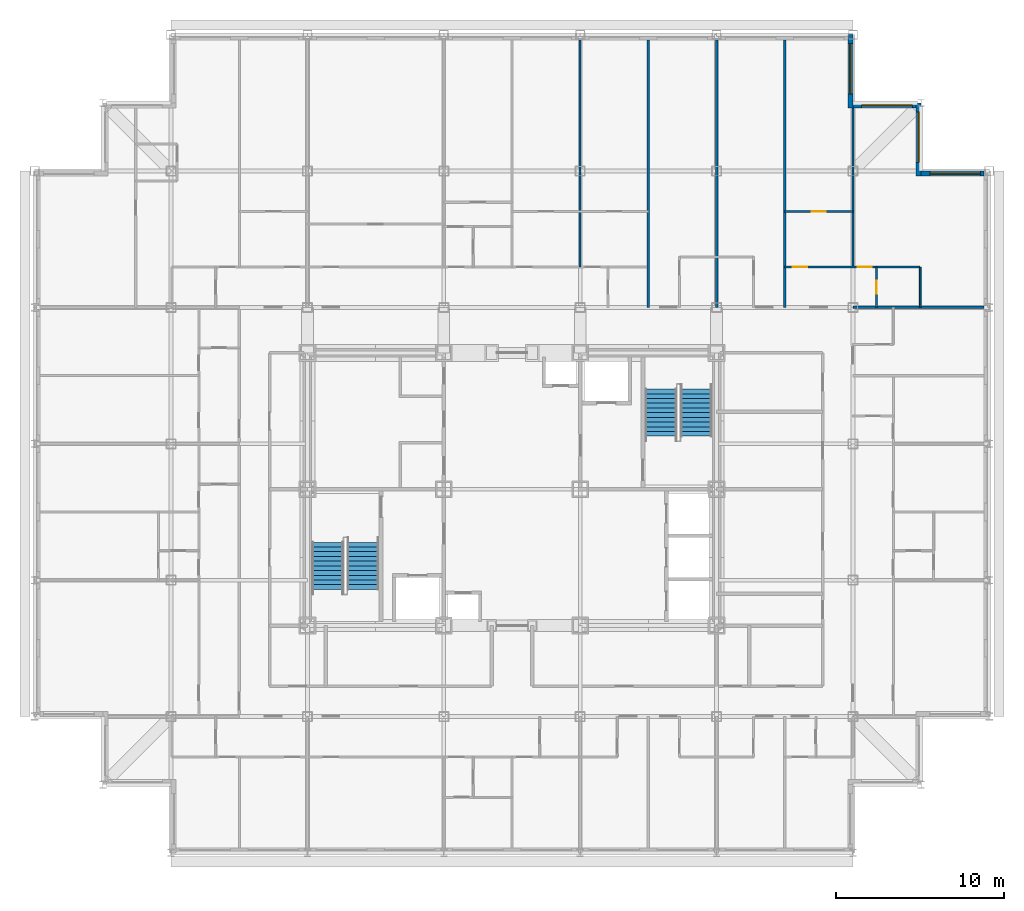
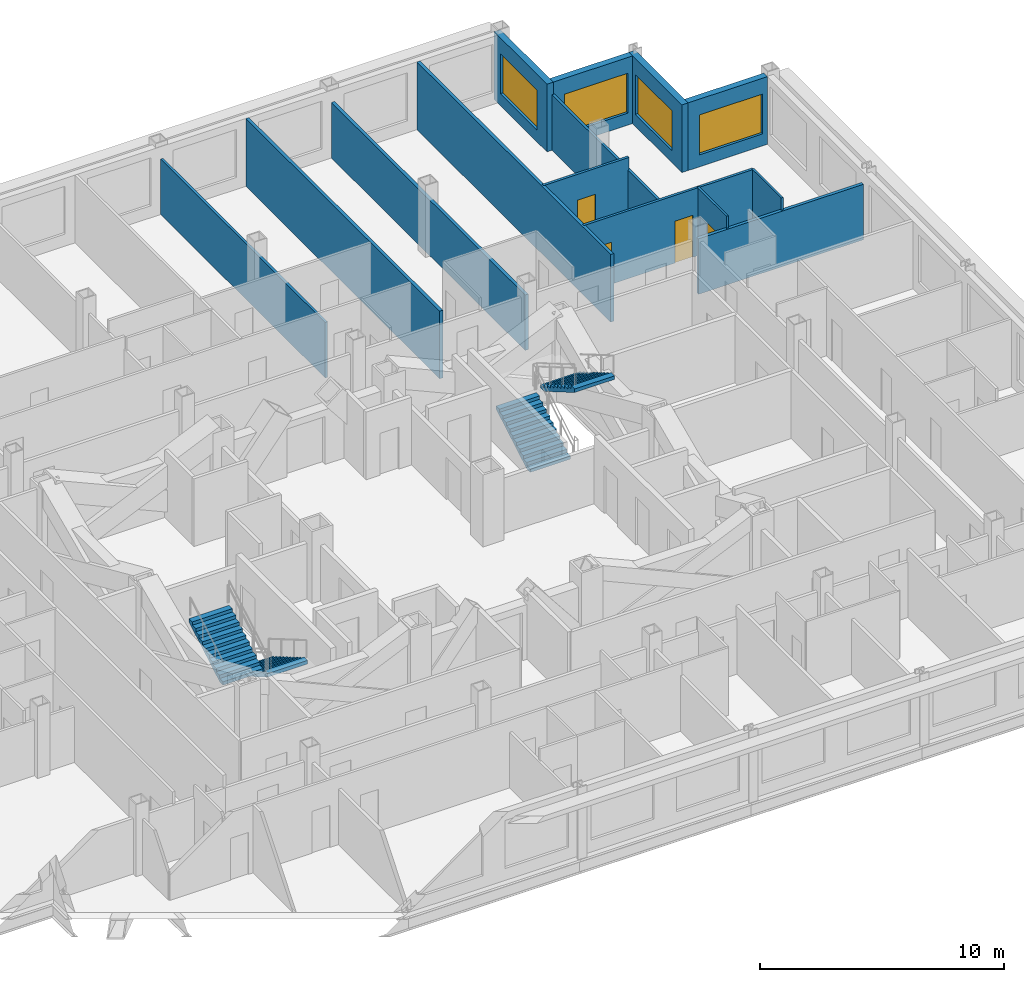
# One storey, part 11 of 12: 14 walls, 4 doors, 4 stair flights, 4 windows, 8 openings, 2 elements without a shape of their own.
"""IFC4 building model written with IfcOpenShell, lengths in metres."""

import ifcopenshell
import ifcopenshell.guid

model = None  # the IFC model being written
_history = None  # IfcOwnerHistory: only IFC2X3 demands one
_inside = {}  # id of a spatial element -> (the spatial element, [elements in it])
_under = {}  # id of a project, library or spatial element -> (it, [spatial elements below it])
_declared = {}  # id of a project -> (the project, [libraries it declares])
_typed = {}  # id of a type object -> (the type object, [elements of that type])
_made_of = {}  # id of a material, layer set ... -> (it, [elements and type objects made of it])


def new_model(schema):
    """Start an empty IFC model of exactly this schema.

    Asked for "IFC4X3", IfcOpenShell would pick the latest addendum, in which some entities
    have other attributes; the version numbers below select the first issue.
    IFC2X3 requires an IfcOwnerHistory on every rooted entity: one is made here for all.
    """
    global model, _history
    if schema == "IFC4X3":
        model = ifcopenshell.file(schema_version=(4, 3, 0, 0))
    else:
        model = ifcopenshell.file(schema=schema)
    _inside.clear()
    _under.clear()
    _declared.clear()
    _typed.clear()
    _made_of.clear()
    _history = None
    if model.schema == "IFC2X3":
        org = make("IfcOrganization", Name="unknown")
        user = make(
            "IfcPersonAndOrganization",
            ThePerson=make("IfcPerson", FamilyName="unknown"),
            TheOrganization=org,
        )
        app = make(
            "IfcApplication",
            ApplicationDeveloper=org,
            Version="unknown",
            ApplicationFullName="unknown",
            ApplicationIdentifier="unknown",
        )
        _history = make(
            "IfcOwnerHistory",
            OwningUser=user,
            OwningApplication=app,
            ChangeAction="ADDED",
            CreationDate=0,
        )
    return model


def make(cls, **values):
    """One entity of the class cls with the attributes given. An attribute that is None is left unset."""
    return model.create_entity(
        cls, **{name: value for name, value in values.items() if value is not None}
    )


def rooted(cls, **values):
    """An entity with a GlobalId (a new one), such as an element, a storey or a relation."""
    return make(cls, GlobalId=ifcopenshell.guid.new(), OwnerHistory=_history, **values)


def si_unit(unit_type, name, prefix=None):
    """IfcSIUnit, for example si_unit("LENGTHUNIT", "METRE", prefix="MILLI")."""
    return make("IfcSIUnit", UnitType=unit_type, Prefix=prefix, Name=name)


def assignment(units):
    """IfcUnitAssignment: the units of a project."""
    return None if units is None else make("IfcUnitAssignment", Units=units)


def point(xyz):
    """IfcCartesianPoint."""
    return None if xyz is None else make("IfcCartesianPoint", Coordinates=xyz)


def direction(xyz):
    """IfcDirection."""
    return None if xyz is None else make("IfcDirection", DirectionRatios=xyz)


def frame(location, z_axis=None, x_axis=None):
    """IfcAxis2Placement3D, a coordinate frame: its origin and axes. An axis left out is left unset."""
    return make(
        "IfcAxis2Placement3D",
        Location=point(location),
        Axis=direction(z_axis),
        RefDirection=direction(x_axis),
    )


def frame_2d(location, x_axis=None):
    """IfcAxis2Placement2D, a coordinate frame in the plane: its origin and x axis."""
    return make(
        "IfcAxis2Placement2D", Location=point(location), RefDirection=direction(x_axis)
    )


def origin():
    """The frame at (0, 0, 0) with its axes left unset."""
    return frame((0.0, 0.0, 0.0))


def place(relative_to, where):
    """IfcLocalPlacement: puts the frame where relative to a parent placement (None: the world)."""
    return make(
        "IfcLocalPlacement", PlacementRelTo=relative_to, RelativePlacement=where
    )


def context(
    kind, dimensions, precision=None, world=None, true_north=None, identifier=None
):
    """IfcGeometricRepresentationContext, for example the 3D "Model" context."""
    return make(
        "IfcGeometricRepresentationContext",
        ContextIdentifier=identifier,
        ContextType=kind,
        CoordinateSpaceDimension=dimensions,
        Precision=precision,
        WorldCoordinateSystem=world,
        TrueNorth=true_north,
    )


def subcontext(parent, identifier, kind, view, scale=None):
    """IfcGeometricRepresentationSubContext, for example "Body" below "Model"."""
    return make(
        "IfcGeometricRepresentationSubContext",
        ContextIdentifier=identifier,
        ContextType=kind,
        ParentContext=parent,
        TargetScale=scale,
        TargetView=view,
    )


def project(units=None, contexts=None):
    """IfcProject with its units and contexts."""
    return rooted(
        "IfcProject",
        Name="project",
        RepresentationContexts=contexts,
        UnitsInContext=assignment(units),
    )


def spatial(cls, under=None, at=None, **own):
    """A site, building, storey or space (cls), placed at a placement, below another one or the project."""
    s = rooted(cls, ObjectPlacement=at, **own)
    if under is not None:
        _under.setdefault(under.id(), (under, []))[1].append(s)
    return s


def point_list(points):
    """IfcCartesianPointList2D or 3D."""
    cls = (
        "IfcCartesianPointList2D" if len(points[0]) == 2 else "IfcCartesianPointList3D"
    )
    return make(cls, CoordList=points)


def profile(cls, at=None, kind="AREA", **sizes):
    """A parametric profile (cls). Its sizes go by their IFC names, for example OverallWidth=200.0."""
    return make(cls, ProfileType=kind, Position=at, **sizes)


def rectangle(**sizes):
    """IfcRectangleProfileDef."""
    return profile("IfcRectangleProfileDef", **sizes)


def extrude(swept, where, along, depth):
    """IfcExtrudedAreaSolid: the profile swept, set in the frame where, extruded along a direction by depth."""
    return make(
        "IfcExtrudedAreaSolid",
        SweptArea=swept,
        Position=where,
        ExtrudedDirection=direction(along),
        Depth=depth,
    )


def polygons(points, faces, closed=None, point_numbers=None):
    """IfcPolygonalFaceSet: a face is its outer loop, then its inner loops; points numbered from 1."""
    made = []
    for loops in faces:
        if len(loops) == 1:
            made.append(make("IfcIndexedPolygonalFace", CoordIndex=loops[0]))
        else:
            made.append(
                make(
                    "IfcIndexedPolygonalFaceWithVoids",
                    CoordIndex=loops[0],
                    InnerCoordIndices=loops[1:],
                )
            )
    return make(
        "IfcPolygonalFaceSet",
        Coordinates=point_list(points),
        Closed=closed,
        Faces=made,
        PnIndex=point_numbers,
    )


def shape(context_of_items, identifier, shape_type, items):
    """IfcShapeRepresentation: the items that make up one representation, for example the "Body"."""
    return make(
        "IfcShapeRepresentation",
        ContextOfItems=context_of_items,
        RepresentationIdentifier=identifier,
        RepresentationType=shape_type,
        Items=items,
    )


def source(mapping_origin, context_of_items, identifier, shape_type, items):
    """IfcRepresentationMap: a shape defined once, which mapped items show again and again."""
    return make(
        "IfcRepresentationMap",
        MappingOrigin=mapping_origin,
        MappedRepresentation=shape(context_of_items, identifier, shape_type, items),
    )


def transform(
    local_origin,
    x_axis=None,
    y_axis=None,
    z_axis=None,
    scale=None,
    scale2=None,
    scale3=None,
    uniform=True,
):
    """IfcCartesianTransformationOperator3D, or its non-uniform kind. x_axis, y_axis, z_axis: its Axis1, 2, 3."""
    if uniform:
        return make(
            "IfcCartesianTransformationOperator3D",
            Axis1=direction(x_axis),
            Axis2=direction(y_axis),
            LocalOrigin=point(local_origin),
            Scale=scale,
            Axis3=direction(z_axis),
        )
    return make(
        "IfcCartesianTransformationOperator3DnonUniform",
        Axis1=direction(x_axis),
        Axis2=direction(y_axis),
        LocalOrigin=point(local_origin),
        Scale=scale,
        Axis3=direction(z_axis),
        Scale2=scale2,
        Scale3=scale3,
    )


def mapped(mapping_source, mapping_target):
    """IfcMappedItem: shows the shape of a source again, moved by a transform."""
    return make(
        "IfcMappedItem", MappingSource=mapping_source, MappingTarget=mapping_target
    )


def material(Name=None, Category=None):
    """IfcMaterial."""
    return make("IfcMaterial", Name=Name, Category=Category)


def layer(
    of_material, thickness, ventilated=None, Name=None, Category=None, Priority=None
):
    """IfcMaterialLayer: one layer of a wall or slab, of a material (None: an air gap)."""
    return make(
        "IfcMaterialLayer",
        Material=of_material,
        LayerThickness=thickness,
        IsVentilated=ventilated,
        Name=Name,
        Category=Category,
        Priority=Priority,
    )


def layer_set(layers, Name=None):
    """IfcMaterialLayerSet."""
    return make("IfcMaterialLayerSet", MaterialLayers=layers, LayerSetName=Name)


def made_of(thing, what):
    """Note that an element or type object is made of a material, layer set ...; save() writes the relation."""
    if what is not None:
        _made_of.setdefault(what.id(), (what, []))[1].append(thing)
    return thing


def type_object(cls, material=None, **own):
    """A type object (cls), such as IfcWallType, which elements share."""
    return made_of(rooted(cls, **own), material)


def element(
    cls,
    number,
    at=None,
    inside=None,
    cuts=None,
    type_object=None,
    material=None,
    context=None,
    identifier="Body",
    shape_type=None,
    held_by="IfcProductDefinitionShape",
    body=None,
    shapes=None,
    **own,
):
    """One element of the class cls, such as IfcWall. Its Tag is "e" and its number.

    at: its placement. inside: the storey or other place that contains it. cuts: it is an
    opening in that element (IfcRelVoidsElement). A single representation is given by context,
    identifier, shape_type and body (its items); several are given by shapes. held_by: the class
    of the entity that holds the representations. save() writes the other relations.
    """
    e = rooted(cls, Tag="e%d" % number, ObjectPlacement=at, **own)
    if body is not None:
        shapes = [shape(context, identifier, shape_type, body)]
    if shapes is not None:
        e.Representation = make(held_by, Representations=shapes)
    if inside is not None:
        _inside.setdefault(inside.id(), (inside, []))[1].append(e)
    if cuts is not None:
        rooted(
            "IfcRelVoidsElement", RelatingBuildingElement=cuts, RelatedOpeningElement=e
        )
    if type_object is not None:
        _typed.setdefault(type_object.id(), (type_object, []))[1].append(e)
    return made_of(e, material)


def fill(opening, filler):
    """IfcRelFillsElement: the door or window that sits in an opening."""
    return rooted(
        "IfcRelFillsElement",
        RelatingOpeningElement=opening,
        RelatedBuildingElement=filler,
    )


def aggregate(whole, parts):
    """IfcRelAggregates: a whole, such as a stair, and the parts it consists of."""
    return rooted("IfcRelAggregates", RelatingObject=whole, RelatedObjects=parts)


def save(model, path):
    """Write the relations noted so far, then the file.

    IfcRelAggregates (storeys below a building ...), IfcRelContainedInSpatialStructure (elements
    in a storey), IfcRelDefinesByType, IfcRelAssociatesMaterial and IfcRelDeclares: one each for
    every whole, place, type object, material and project.
    """
    for whole, parts in _under.values():
        aggregate(whole, parts)
    for where, things in _inside.values():
        rooted(
            "IfcRelContainedInSpatialStructure",
            RelatedElements=things,
            RelatingStructure=where,
        )
    for kind, things in _typed.values():
        rooted("IfcRelDefinesByType", RelatedObjects=things, RelatingType=kind)
    for what, things in _made_of.values():
        rooted("IfcRelAssociatesMaterial", RelatedObjects=things, RelatingMaterial=what)
    for by, libraries in _declared.values():
        rooted("IfcRelDeclares", RelatingContext=by, RelatedDefinitions=libraries)
    model.write(path)


model = new_model("IFC4")

# Units and contexts
model_context = context("Model", 3, precision=1e-05, world=origin(), true_north=direction((0.0, 1.0)))
body_context = subcontext(model_context, "Body", "Model", "MODEL_VIEW")
ifc_project = project(units=[si_unit("LENGTHUNIT", "METRE"), si_unit("AREAUNIT", "SQUARE_METRE"), si_unit("VOLUMEUNIT", "CUBIC_METRE"), si_unit("PLANEANGLEUNIT", "RADIAN"), si_unit("MASSUNIT", "GRAM", prefix="KILO")], contexts=[model_context])

# Site, building, storey
site_placement = place(None, origin())
site = spatial("IfcSite", under=ifc_project, at=site_placement, CompositionType="ELEMENT")
building_placement = place(site_placement, origin())
building = spatial("IfcBuilding", under=site, at=building_placement, Name="Kopane Lantern Tower", CompositionType="ELEMENT")
storey_placement = place(building_placement, frame((0.0, 0.0, 213.60009765625)))
storey = spatial("IfcBuildingStorey", under=building, at=storey_placement, Name="L55", CompositionType="ELEMENT", Elevation=213.60009765625)

# Wall
ifc_material_1 = material(Name="Gypsum board on steel studs", Category="steel")
ifc_layer_1 = layer(ifc_material_1, 0.1201171875)
ifc_layer_set_1 = layer_set([ifc_layer_1], Name="APARTMENT INTERNAL WALL 120")
wall_type_1 = type_object("IfcWallType", Name="APARTMENT INTERNAL WALL 120", PredefinedType="PARTITIONING", material=ifc_layer_set_1)
wall_1_placement = place(storey_placement, frame((32.39990234375, 45.60009765625, 0.0), z_axis=(0.0, 0.0, 1.0), x_axis=(0.0, 1.0, 0.0)))
element("IfcWall", 1, at=wall_1_placement, inside=storey, type_object=wall_type_1, Name="Apartment Internal Wall 120 L55", PredefinedType="PARTITIONING", context=body_context, shape_type="SweptSolid", body=[
    extrude(rectangle(XDim=13.5, YDim=0.1201171875, at=frame_2d((6.75, 0.0))), origin(), (0.0, 0.0, 1.0), 2.777587890625),
])

# Wall, openings, doors
wall_2_placement = place(storey_placement, frame((44.550048828125, 45.60009765625, 0.0), z_axis=(0.0, 0.0, 1.0), x_axis=(1.0, 0.0, 0.0)))
wall_2 = element("IfcWall", 2, at=wall_2_placement, inside=storey, type_object=wall_type_1, Name="Apartment Internal Wall 120 L55", PredefinedType="PARTITIONING", context=body_context, shape_type="SweptSolid", body=[
    extrude(rectangle(XDim=8.050048828125, YDim=0.1201171875, at=frame_2d((4.02490234375, 0.0))), origin(), (0.0, 0.0, 1.0), 3.389892578125),
])
opening_1_placement = place(wall_2_placement, frame((0.47509765625, 0.0, 0.0)))
opening_1 = element("IfcOpeningElement", 3, at=opening_1_placement, cuts=wall_2, Name="Opening L55-062", PredefinedType="OPENING", context=body_context, shape_type="SweptSolid", body=[
    extrude(rectangle(XDim=0.85009765625, YDim=2.10009765625, at=frame_2d((0.425048828125, 1.050048828125))), frame((0.0, 0.070068359375, 0.0), z_axis=(0.0, -1.0, 0.0), x_axis=(1.0, 0.0, 0.0)), (0.0, 0.0, 1.0), 0.14013671875),
])
opening_2_placement = place(wall_2_placement, frame((4.324951171875, 0.0, 0.0)))
opening_2 = element("IfcOpeningElement", 4, at=opening_2_placement, cuts=wall_2, Name="Opening L55-064", PredefinedType="OPENING", context=body_context, shape_type="SweptSolid", body=[
    extrude(rectangle(XDim=0.85009765625, YDim=2.10009765625, at=frame_2d((0.425048828125, 1.050048828125))), frame((0.0, 0.070068359375, 0.0), z_axis=(0.0, -1.0, 0.0), x_axis=(1.0, 0.0, 0.0)), (0.0, 0.0, 1.0), 0.14013671875),
])
ifc_material_2 = material(Name="Timber door set", Category="wood")
door_type_1 = type_object("IfcDoorType", Name="DOOR D4 850x2100", OperationType="SINGLE_SWING_LEFT", PredefinedType="DOOR", material=ifc_material_2)
door_1_placement = place(opening_1_placement, origin())
door_1 = element("IfcDoor", 5, at=door_1_placement, inside=storey, type_object=door_type_1, Name="Door L55-062", OperationType="SINGLE_SWING_RIGHT", OverallHeight=2.10009765625, OverallWidth=0.85009765625, PredefinedType="DOOR", context=body_context, shape_type="SweptSolid", body=[
    extrude(rectangle(XDim=0.85009765625, YDim=2.10009765625, at=frame_2d((0.425048828125, 1.050048828125))), frame((0.0, 0.02490234375, 0.0), z_axis=(0.0, -1.0, 0.0), x_axis=(1.0, 0.0, 0.0)), (0.0, 0.0, 1.0), 0.050048828125),
])
fill(opening_1, door_1)
door_2_placement = place(opening_2_placement, origin())
door_2 = element("IfcDoor", 6, at=door_2_placement, inside=storey, type_object=door_type_1, Name="Door L55-064", OperationType="SINGLE_SWING_LEFT", OverallHeight=2.10009765625, OverallWidth=0.85009765625, PredefinedType="DOOR", context=body_context, shape_type="SweptSolid", body=[
    extrude(rectangle(XDim=0.85009765625, YDim=2.10009765625, at=frame_2d((0.425048828125, 1.050048828125))), frame((0.0, 0.02490234375, 0.0), z_axis=(0.0, -1.0, 0.0), x_axis=(1.0, 0.0, 0.0)), (0.0, 0.0, 1.0), 0.050048828125),
])
fill(opening_2, door_2)

# Wall
wall_3_placement = place(storey_placement, frame((48.60009765625, 45.60009765625, 0.0), z_axis=(0.0, 0.0, 1.0), x_axis=(0.0, 1.0, 0.0)))
element("IfcWall", 7, at=wall_3_placement, inside=storey, type_object=wall_type_1, Name="Apartment Internal Wall 120 L55", PredefinedType="PARTITIONING", context=body_context, shape_type="SweptSolid", body=[
    extrude(rectangle(XDim=9.449951171875, YDim=0.1201171875, at=frame_2d((4.72509765625, 0.0))), origin(), (0.0, 0.0, 1.0), 2.777587890625),
])

# Wall, opening, door
wall_4_placement = place(storey_placement, frame((44.550048828125, 48.89990234375, 0.0), z_axis=(0.0, 0.0, 1.0), x_axis=(1.0, 0.0, 0.0)))
wall_4 = element("IfcWall", 8, at=wall_4_placement, inside=storey, type_object=wall_type_1, Name="Apartment Internal Wall 120 L55", PredefinedType="PARTITIONING", context=body_context, shape_type="SweptSolid", body=[
    extrude(rectangle(XDim=4.050048828125, YDim=0.1201171875, at=frame_2d((2.02490234375, 0.0))), origin(), (0.0, 0.0, 1.0), 3.389892578125),
])
opening_3_placement = place(wall_4_placement, frame((1.60009765625, 0.0, 0.0)))
opening_3 = element("IfcOpeningElement", 9, at=opening_3_placement, cuts=wall_4, Name="Opening L55-077", PredefinedType="OPENING", context=body_context, shape_type="SweptSolid", body=[
    extrude(rectangle(XDim=0.85009765625, YDim=2.10009765625, at=frame_2d((0.425048828125, 1.050048828125))), frame((0.0, 0.070068359375, 0.0), z_axis=(0.0, -1.0, 0.0), x_axis=(1.0, 0.0, 0.0)), (0.0, 0.0, 1.0), 0.14013671875),
])
door_3_placement = place(opening_3_placement, origin())
door_3 = element("IfcDoor", 10, at=door_3_placement, inside=storey, type_object=door_type_1, Name="Door L55-077", OperationType="SINGLE_SWING_RIGHT", OverallHeight=2.10009765625, OverallWidth=0.85009765625, PredefinedType="DOOR", context=body_context, shape_type="SweptSolid", body=[
    extrude(rectangle(XDim=0.85009765625, YDim=2.10009765625, at=frame_2d((0.425048828125, 1.050048828125))), frame((0.0, 0.02490234375, 0.0), z_axis=(0.0, -1.0, 0.0), x_axis=(1.0, 0.0, 0.0)), (0.0, 0.0, 1.0), 0.050048828125),
])
fill(opening_3, door_3)

ifc_material_3 = material(Name="Moisture-resistant board on steel studs", Category="steel")
ifc_layer_2 = layer(ifc_material_3, 0.10009765625)
ifc_layer_set_2 = layer_set([ifc_layer_2], Name="BATHROOM WALL 100")
wall_type_2 = type_object("IfcWallType", Name="BATHROOM WALL 100", PredefinedType="PARTITIONING", material=ifc_layer_set_2)
wall_5_placement = place(storey_placement, frame((50.0, 43.199951171875, 0.0), z_axis=(0.0, 0.0, 1.0), x_axis=(0.0, 1.0, 0.0)))
wall_5 = element("IfcWall", 11, at=wall_5_placement, inside=storey, type_object=wall_type_2, Name="Bathroom Wall 100 L55", PredefinedType="PARTITIONING", context=body_context, shape_type="SweptSolid", body=[
    extrude(rectangle(XDim=2.400146484375, YDim=0.10009765625, at=frame_2d((1.2001953125, 0.0))), origin(), (0.0, 0.0, 1.0), 3.389892578125),
])
opening_4_placement = place(wall_5_placement, frame((0.800048828125, 0.0, 0.0)))
opening_4 = element("IfcOpeningElement", 12, at=opening_4_placement, cuts=wall_5, Name="Opening L55-063", PredefinedType="OPENING", context=body_context, shape_type="SweptSolid", body=[
    extrude(rectangle(XDim=0.800048828125, YDim=2.10009765625, at=frame_2d((0.39990234375, 1.050048828125))), frame((0.0, 0.06005859375, 0.0), z_axis=(0.0, -1.0, 0.0), x_axis=(1.0, 0.0, 0.0)), (0.0, 0.0, 1.0), 0.1201171875),
])
ifc_material_4 = material(Name="Timber door set", Category="wood")
door_type_2 = type_object("IfcDoorType", Name="DOOR D2 800x2100", OperationType="SINGLE_SWING_LEFT", PredefinedType="DOOR", material=ifc_material_4)
door_4_placement = place(opening_4_placement, origin())
door_4 = element("IfcDoor", 13, at=door_4_placement, inside=storey, type_object=door_type_2, Name="Door L55-063", OperationType="SINGLE_SWING_RIGHT", OverallHeight=2.10009765625, OverallWidth=0.800048828125, PredefinedType="DOOR", context=body_context, shape_type="SweptSolid", body=[
    extrude(rectangle(XDim=0.800048828125, YDim=2.10009765625, at=frame_2d((0.39990234375, 1.050048828125))), frame((0.0, 0.02490234375, 0.0), z_axis=(0.0, -1.0, 0.0), x_axis=(1.0, 0.0, 0.0)), (0.0, 0.0, 1.0), 0.050048828125),
])
fill(opening_4, door_4)

# Walls
wall_6_placement = place(storey_placement, frame((52.60009765625, 43.199951171875, 0.0), z_axis=(0.0, 0.0, 1.0), x_axis=(0.0, 1.0, 0.0)))
element("IfcWall", 14, at=wall_6_placement, inside=storey, type_object=wall_type_2, Name="Bathroom Wall 100 L55", PredefinedType="PARTITIONING", context=body_context, shape_type="SweptSolid", body=[
    extrude(rectangle(XDim=2.400146484375, YDim=0.10009765625, at=frame_2d((1.2001953125, 0.0))), origin(), (0.0, 0.0, 1.0), 3.389892578125),
])
ifc_material_5 = material(Name="Gypsum board on steel studs", Category="steel")
ifc_layer_3 = layer(ifc_material_5, 0.14990234375)
ifc_layer_set_3 = layer_set([ifc_layer_3], Name="DEMISING WALL 150 EI 60")
wall_type_3 = type_object("IfcWallType", Name="DEMISING WALL 150 EI 60", PredefinedType="PARTITIONING", material=ifc_layer_set_3)
wall_7_placement = place(storey_placement, frame((36.449951171875, 43.199951171875, 0.0), z_axis=(0.0, 0.0, 1.0), x_axis=(0.0, 1.0, 0.0)))
element("IfcWall", 15, at=wall_7_placement, inside=storey, type_object=wall_type_3, Name="Demising Wall 150 Ei 60 L55", PredefinedType="PARTITIONING", context=body_context, shape_type="SweptSolid", body=[
    extrude(rectangle(XDim=15.900146484375, YDim=0.14990234375, at=frame_2d((7.9501953125, 0.0))), origin(), (0.0, 0.0, 1.0), 3.389892578125),
])
wall_8_placement = place(storey_placement, frame((40.5, 43.199951171875, 0.0), z_axis=(0.0, 0.0, 1.0), x_axis=(0.0, 1.0, 0.0)))
element("IfcWall", 16, at=wall_8_placement, inside=storey, type_object=wall_type_3, Name="Demising Wall 150 Ei 60 L55", PredefinedType="PARTITIONING", context=body_context, shape_type="SweptSolid", body=[
    extrude(rectangle(XDim=15.900146484375, YDim=0.14990234375, at=frame_2d((7.9501953125, 0.0))), origin(), (0.0, 0.0, 1.0), 2.777587890625),
])
wall_9_placement = place(storey_placement, frame((48.60009765625, 43.199951171875, 0.0), z_axis=(0.0, 0.0, 1.0), x_axis=(1.0, 0.0, 0.0)))
element("IfcWall", 17, at=wall_9_placement, inside=storey, type_object=wall_type_3, Name="Demising Wall 150 Ei 60 L55", PredefinedType="PARTITIONING", context=body_context, shape_type="SweptSolid", body=[
    extrude(rectangle(XDim=7.7998046875, YDim=0.14990234375, at=frame_2d((3.89990234375, 0.0))), origin(), (0.0, 0.0, 1.0), 2.777587890625),
])
wall_10_placement = place(storey_placement, frame((44.550048828125, 43.199951171875, 0.0), z_axis=(0.0, 0.0, 1.0), x_axis=(0.0, 1.0, 0.0)))
element("IfcWall", 18, at=wall_10_placement, inside=storey, type_object=wall_type_3, Name="Demising Wall 150 Ei 60 L55", PredefinedType="PARTITIONING", context=body_context, shape_type="SweptSolid", body=[
    extrude(rectangle(XDim=15.900146484375, YDim=0.14990234375, at=frame_2d((7.9501953125, 0.0))), origin(), (0.0, 0.0, 1.0), 3.389892578125),
])

# Wall, opening, window
ifc_material_6 = material(Name="Terracotta rainscreen on light steel framing", Category="masonry")
ifc_layer_4 = layer(ifc_material_6, 0.300048828125)
ifc_layer_set_4 = layer_set([ifc_layer_4], Name="EXTERNAL WALL EW1 300 TERRACOTTA")
wall_type_4 = type_object("IfcWallType", Name="EXTERNAL WALL EW1 300 TERRACOTTA", PredefinedType="SOLIDWALL", material=ifc_layer_set_4)
wall_11_placement = place(storey_placement, frame((56.39990234375, 51.14990234375, 0.0), z_axis=(0.0, 0.0, 1.0), x_axis=(-1.0, 0.0, 0.0)))
wall_11 = element("IfcWall", 19, at=wall_11_placement, inside=storey, type_object=wall_type_4, Name="External wall N L55", PredefinedType="SOLIDWALL", context=body_context, shape_type="SweptSolid", body=[
    extrude(rectangle(XDim=3.75, YDim=0.300048828125, at=frame_2d((1.875, 0.0))), origin(), (0.0, 0.0, 1.0), 3.389892578125),
])
opening_5_placement = place(wall_11_placement, frame((0.22509765625, 0.0, 0.60009765625)))
opening_5 = element("IfcOpeningElement", 20, at=opening_5_placement, cuts=wall_11, Name="Opening WR300200", PredefinedType="OPENING", context=body_context, shape_type="SweptSolid", body=[
    extrude(rectangle(XDim=3.0, YDim=2.0, at=frame_2d((1.5, 1.0))), frame((0.0, 0.159912109375, 0.0), z_axis=(0.0, -1.0, 0.0), x_axis=(1.0, 0.0, 0.0)), (0.0, 0.0, 1.0), 0.320068359375),
])
ifc_material_7 = material(Name="Aluminium and clear glass", Category="aluminium")
window_type = type_object("IfcWindowType", Name="RIBBON WINDOW WR300200 3000x2000", PartitioningType="SINGLE_PANEL", PredefinedType="WINDOW", material=ifc_material_7)
window_1_placement = place(opening_5_placement, origin())
window_1 = element("IfcWindow", 21, at=window_1_placement, inside=storey, type_object=window_type, Name="Window N L55", OverallHeight=2.0, OverallWidth=3.0, PartitioningType="SINGLE_PANEL", PredefinedType="WINDOW", context=body_context, shape_type="SweptSolid", body=[
    extrude(rectangle(XDim=3.0, YDim=2.0, at=frame_2d((1.5, 1.0))), frame((0.0, 0.030029296875, 0.0), z_axis=(0.0, -1.0, 0.0), x_axis=(1.0, 0.0, 0.0)), (0.0, 0.0, 1.0), 0.06005859375),
])
fill(opening_5, window_1)

wall_12_placement = place(storey_placement, frame((52.5, 51.0, 0.0), z_axis=(0.0, 0.0, 1.0), x_axis=(0.0, 1.0, 0.0)))
wall_12 = element("IfcWall", 22, at=wall_12_placement, inside=storey, type_object=wall_type_4, Name="External wall E L55", PredefinedType="SOLIDWALL", context=body_context, shape_type="SweptSolid", body=[
    extrude(rectangle(XDim=4.35009765625, YDim=0.300048828125, at=frame_2d((2.175048828125, 0.0))), origin(), (0.0, 0.0, 1.0), 3.389892578125),
])
opening_6_placement = place(wall_12_placement, frame((0.824951171875, 0.0, 0.60009765625)))
opening_6 = element("IfcOpeningElement", 23, at=opening_6_placement, cuts=wall_12, Name="Opening WR300200", PredefinedType="OPENING", context=body_context, shape_type="SweptSolid", body=[
    extrude(rectangle(XDim=3.0, YDim=2.0, at=frame_2d((1.5, 1.0))), frame((0.0, 0.159912109375, 0.0), z_axis=(0.0, -1.0, 0.0), x_axis=(1.0, 0.0, 0.0)), (0.0, 0.0, 1.0), 0.320068359375),
])
window_2_placement = place(opening_6_placement, origin())
window_2 = element("IfcWindow", 24, at=window_2_placement, inside=storey, type_object=window_type, Name="Window E L55", OverallHeight=2.0, OverallWidth=3.0, PartitioningType="SINGLE_PANEL", PredefinedType="WINDOW", context=body_context, shape_type="SweptSolid", body=[
    extrude(rectangle(XDim=3.0, YDim=2.0, at=frame_2d((1.5, 1.0))), frame((0.0, 0.030029296875, 0.0), z_axis=(0.0, -1.0, 0.0), x_axis=(1.0, 0.0, 0.0)), (0.0, 0.0, 1.0), 0.06005859375),
])
fill(opening_6, window_2)

wall_13_placement = place(storey_placement, frame((52.35009765625, 55.199951171875, 0.0), z_axis=(0.0, 0.0, 1.0), x_axis=(-1.0, 0.0, 0.0)))
wall_13 = element("IfcWall", 25, at=wall_13_placement, inside=storey, type_object=wall_type_4, Name="External wall N L55", PredefinedType="SOLIDWALL", context=body_context, shape_type="SweptSolid", body=[
    extrude(rectangle(XDim=3.75, YDim=0.300048828125, at=frame_2d((1.875, 0.0))), origin(), (0.0, 0.0, 1.0), 3.389892578125),
])
opening_7_placement = place(wall_13_placement, frame((0.22509765625, 0.0, 0.60009765625)))
opening_7 = element("IfcOpeningElement", 26, at=opening_7_placement, cuts=wall_13, Name="Opening WR300200", PredefinedType="OPENING", context=body_context, shape_type="SweptSolid", body=[
    extrude(rectangle(XDim=3.0, YDim=2.0, at=frame_2d((1.5, 1.0))), frame((0.0, 0.159912109375, 0.0), z_axis=(0.0, -1.0, 0.0), x_axis=(1.0, 0.0, 0.0)), (0.0, 0.0, 1.0), 0.320068359375),
])
window_3_placement = place(opening_7_placement, origin())
window_3 = element("IfcWindow", 27, at=window_3_placement, inside=storey, type_object=window_type, Name="Window N L55", OverallHeight=2.0, OverallWidth=3.0, PartitioningType="SINGLE_PANEL", PredefinedType="WINDOW", context=body_context, shape_type="SweptSolid", body=[
    extrude(rectangle(XDim=3.0, YDim=2.0, at=frame_2d((1.5, 1.0))), frame((0.0, 0.030029296875, 0.0), z_axis=(0.0, -1.0, 0.0), x_axis=(1.0, 0.0, 0.0)), (0.0, 0.0, 1.0), 0.06005859375),
])
fill(opening_7, window_3)

wall_14_placement = place(storey_placement, frame((48.449951171875, 55.050048828125, 0.0), z_axis=(0.0, 0.0, 1.0), x_axis=(0.0, 1.0, 0.0)))
wall_14 = element("IfcWall", 28, at=wall_14_placement, inside=storey, type_object=wall_type_4, Name="External wall E L55", PredefinedType="SOLIDWALL", context=body_context, shape_type="SweptSolid", body=[
    extrude(rectangle(XDim=4.349853515625, YDim=0.300048828125, at=frame_2d((2.1748046875, 0.0))), origin(), (0.0, 0.0, 1.0), 3.389892578125),
])
opening_8_placement = place(wall_14_placement, frame((0.824951171875, 0.0, 0.60009765625)))
opening_8 = element("IfcOpeningElement", 29, at=opening_8_placement, cuts=wall_14, Name="Opening WR300200", PredefinedType="OPENING", context=body_context, shape_type="SweptSolid", body=[
    extrude(rectangle(XDim=3.0, YDim=2.0, at=frame_2d((1.5, 1.0))), frame((0.0, 0.159912109375, 0.0), z_axis=(0.0, -1.0, 0.0), x_axis=(1.0, 0.0, 0.0)), (0.0, 0.0, 1.0), 0.320068359375),
])
window_4_placement = place(opening_8_placement, origin())
window_4 = element("IfcWindow", 30, at=window_4_placement, inside=storey, type_object=window_type, Name="Window E L55", OverallHeight=2.0, OverallWidth=3.0, PartitioningType="SINGLE_PANEL", PredefinedType="WINDOW", context=body_context, shape_type="SweptSolid", body=[
    extrude(rectangle(XDim=3.0, YDim=2.0, at=frame_2d((1.5, 1.0))), frame((0.0, 0.030029296875, 0.0), z_axis=(0.0, -1.0, 0.0), x_axis=(1.0, 0.0, 0.0)), (0.0, 0.0, 1.0), 0.06005859375),
])
fill(opening_8, window_4)

# Stair, stair flights
ifc_material_8 = material(Name="Steel S355JR", Category="steel")
stair_type = type_object("IfcStairType", Name="EXIT STAIR 1900 HALF TURN", PredefinedType="HALF_TURN_STAIR", material=ifc_material_8)
stair_1_placement = place(storey_placement, origin())
stair_1 = element("IfcStair", 31, at=stair_1_placement, inside=storey, type_object=stair_type, Name="Exit stair ST1 L55", PredefinedType="HALF_TURN_STAIR")
ifc_material_9 = material(Name="Steel S355JR", Category="steel")
stair_flight_type = type_object("IfcStairFlightType", Name="STAIR FLIGHT 1900 STEEL", PredefinedType="STRAIGHT", material=ifc_material_9)
shared_shape = source(origin(), body_context, "Body", "Tessellation", [
    polygons([(2.800048828, 0.949951172, 1.636474609), (2.520019531, 0.949951172, 1.636474609), (2.520019531, -0.949951172, 1.636474609), (2.800048828, -0.949951172, 1.636474609), (0.297119141, 0.949951172, 0.0), (2.800048828, 0.949951172, 1.462646484), (2.800048828, -0.949951172, 1.462646484), (0.297119141, -0.949951172, 0.0), (0.0, 0.949951172, 0.0), (0.0, -0.949951172, 0.0), (0.280029297, 0.949951172, 0.163574219), (0.0, 0.949951172, 0.163574219), (0.0, -0.949951172, 0.163574219), (0.280029297, -0.949951172, 0.163574219), (0.280029297, 0.949951172, 0.327392578), (0.280029297, -0.949951172, 0.327392578), (0.560058594, 0.949951172, 0.327392578), (0.560058594, -0.949951172, 0.327392578), (0.560058594, 0.949951172, 0.490966797), (0.560058594, -0.949951172, 0.490966797), (0.840087891, 0.949951172, 0.490966797), (0.840087891, -0.949951172, 0.490966797), (0.840087891, 0.949951172, 0.654541016), (0.840087891, -0.949951172, 0.654541016), (1.120117188, 0.949951172, 0.654541016), (1.120117188, -0.949951172, 0.654541016), (1.120117188, 0.949951172, 0.818115234), (1.120117188, -0.949951172, 0.818115234), (1.399902344, 0.949951172, 0.818115234), (1.399902344, -0.949951172, 0.818115234), (1.399902344, 0.949951172, 0.981933594), (1.399902344, -0.949951172, 0.981933594), (1.679931641, 0.949951172, 0.981933594), (1.679931641, -0.949951172, 0.981933594), (1.679931641, 0.949951172, 1.145507812), (1.679931641, -0.949951172, 1.145507812), (1.959960938, 0.949951172, 1.145507812), (1.959960938, -0.949951172, 1.145507812), (1.959960938, 0.949951172, 1.309082031), (1.959960938, -0.949951172, 1.309082031), (2.239990234, 0.949951172, 1.309082031), (2.239990234, -0.949951172, 1.309082031), (2.239990234, 0.949951172, 1.47265625), (2.239990234, -0.949951172, 1.47265625), (2.520019531, 0.949951172, 1.47265625), (2.520019531, -0.949951172, 1.47265625), (0.0, 0.0, 0.004420925), (0.0, 0.0, 0.00884185), (0.0, 0.0, 0.013262774), (0.0, 0.0, 0.017683699), (0.0, 0.0, 0.022104624), (0.0, 0.0, 0.026525549), (0.0, 0.0, 0.030946474), (0.0, 0.0, 0.035367399), (0.0, 0.0, 0.039788323), (0.0, 0.0, 0.044209248), (0.0, 0.0, 0.048630173), (0.0, 0.0, 0.053051098), (0.0, 0.0, 0.057472023), (0.0, 0.0, 0.061892948), (0.0, 0.0, 0.066313872), (0.0, 0.0, 0.070734797), (0.0, 0.0, 0.075155722), (0.0, 0.0, 0.079576647), (0.0, 0.0, 0.083997572), (0.0, 0.0, 0.088418497), (0.0, 0.0, 0.092839421), (0.0, 0.0, 0.097260346), (0.0, 0.0, 0.101681271), (0.0, 0.0, 0.106102196), (0.0, 0.0, 0.110523121), (0.0, 0.0, 0.114944046), (0.0, 0.0, 0.11936497), (0.0, 0.0, 0.123785895), (0.0, 0.0, 0.12820682), (0.0, 0.0, 0.132627745), (0.0, 0.0, 0.13704867), (0.0, 0.0, 0.141469595), (0.0, 0.0, 0.145890519), (0.0, 0.0, 0.150311444), (0.0, 0.0, 0.154732369), (0.0, 0.0, 0.159153294), (2.800048828, 0.0, 1.467344542), (2.800048828, 0.0, 1.472042599), (2.800048828, 0.0, 1.476740657), (2.800048828, 0.0, 1.481438714), (2.800048828, 0.0, 1.486136772), (2.800048828, 0.0, 1.490834829), (2.800048828, 0.0, 1.495532886), (2.800048828, 0.0, 1.500230944), (2.800048828, 0.0, 1.504929001), (2.800048828, 0.0, 1.509627059), (2.800048828, 0.0, 1.514325116), (2.800048828, 0.0, 1.519023174), (2.800048828, 0.0, 1.523721231), (2.800048828, 0.0, 1.528419288), (2.800048828, 0.0, 1.533117346), (2.800048828, 0.0, 1.537815403), (2.800048828, 0.0, 1.542513461), (2.800048828, 0.0, 1.547211518), (2.800048828, 0.0, 1.551909576), (2.800048828, 0.0, 1.556607633), (2.800048828, 0.0, 1.56130569), (2.800048828, 0.0, 1.566003748), (2.800048828, 0.0, 1.570701805), (2.800048828, 0.0, 1.575399863), (2.800048828, 0.0, 1.58009792), (2.800048828, 0.0, 1.584795978), (2.800048828, 0.0, 1.589494035), (2.800048828, 0.0, 1.594192092), (2.800048828, 0.0, 1.59889015), (2.800048828, 0.0, 1.603588207), (2.800048828, 0.0, 1.608286265), (2.800048828, 0.0, 1.612984322), (2.800048828, 0.0, 1.61768238), (2.800048828, 0.0, 1.622380437), (2.800048828, 0.0, 1.627078495), (2.800048828, 0.0, 1.631776552)], [[[1, 2, 3]], [[1, 3, 4]], [[5, 6, 7]], [[5, 7, 8]], [[9, 5, 8]], [[9, 8, 10]], [[11, 12, 13]], [[11, 13, 14]], [[15, 11, 14]], [[15, 14, 16]], [[17, 15, 16]], [[17, 16, 18]], [[19, 17, 18]], [[19, 18, 20]], [[21, 19, 20]], [[21, 20, 22]], [[23, 21, 22]], [[23, 22, 24]], [[25, 23, 24]], [[25, 24, 26]], [[27, 25, 26]], [[27, 26, 28]], [[29, 27, 28]], [[29, 28, 30]], [[31, 29, 30]], [[31, 30, 32]], [[33, 31, 32]], [[33, 32, 34]], [[35, 33, 34]], [[35, 34, 36]], [[37, 35, 36]], [[37, 36, 38]], [[39, 37, 38]], [[39, 38, 40]], [[41, 39, 40]], [[41, 40, 42]], [[43, 41, 42]], [[43, 42, 44]], [[45, 43, 44]], [[45, 44, 46]], [[2, 45, 46]], [[2, 46, 3]], [[45, 1, 6]], [[41, 45, 6]], [[2, 1, 45]], [[37, 41, 6]], [[43, 45, 41]], [[39, 41, 37]], [[35, 37, 33]], [[31, 33, 29]], [[27, 29, 25]], [[5, 21, 25]], [[17, 21, 5]], [[23, 25, 21]], [[11, 17, 5]], [[19, 21, 17]], [[9, 11, 5]], [[15, 17, 11]], [[12, 11, 9]], [[6, 5, 25]], [[6, 25, 29]], [[6, 29, 33]], [[6, 33, 37]], [[7, 4, 46]], [[7, 46, 42]], [[46, 4, 3]], [[7, 42, 38]], [[42, 46, 44]], [[38, 42, 40]], [[34, 38, 36]], [[30, 34, 32]], [[26, 30, 28]], [[26, 22, 8]], [[8, 22, 18]], [[22, 26, 24]], [[8, 18, 14]], [[18, 22, 20]], [[8, 14, 10]], [[14, 18, 16]], [[10, 14, 13]], [[26, 8, 7]], [[30, 26, 7]], [[34, 30, 7]], [[38, 34, 7]], [[10, 47, 9]], [[10, 48, 47]], [[9, 47, 48]], [[10, 49, 48]], [[9, 48, 49]], [[10, 50, 49]], [[9, 49, 50]], [[10, 51, 50]], [[9, 50, 51]], [[10, 52, 51]], [[9, 51, 52]], [[10, 53, 52]], [[9, 52, 53]], [[10, 54, 53]], [[9, 53, 54]], [[10, 55, 54]], [[9, 54, 55]], [[10, 56, 55]], [[9, 55, 56]], [[10, 57, 56]], [[9, 56, 57]], [[10, 58, 57]], [[9, 57, 58]], [[10, 59, 58]], [[9, 58, 59]], [[10, 60, 59]], [[9, 59, 60]], [[10, 61, 60]], [[9, 60, 61]], [[10, 62, 61]], [[9, 61, 62]], [[10, 63, 62]], [[9, 62, 63]], [[10, 64, 63]], [[9, 63, 64]], [[10, 65, 64]], [[9, 64, 65]], [[10, 66, 65]], [[9, 65, 66]], [[10, 67, 66]], [[9, 66, 67]], [[10, 68, 67]], [[9, 67, 68]], [[10, 69, 68]], [[9, 68, 69]], [[10, 70, 69]], [[9, 69, 70]], [[10, 71, 70]], [[9, 70, 71]], [[10, 72, 71]], [[9, 71, 72]], [[10, 73, 72]], [[9, 72, 73]], [[10, 74, 73]], [[9, 73, 74]], [[10, 75, 74]], [[9, 74, 75]], [[10, 76, 75]], [[9, 75, 76]], [[10, 77, 76]], [[9, 76, 77]], [[10, 78, 77]], [[9, 77, 78]], [[10, 79, 78]], [[9, 78, 79]], [[10, 80, 79]], [[9, 79, 80]], [[10, 81, 80]], [[9, 80, 81]], [[10, 82, 81]], [[9, 81, 82]], [[10, 13, 82]], [[82, 13, 12]], [[9, 82, 12]], [[7, 6, 83]], [[7, 83, 84]], [[6, 84, 83]], [[7, 84, 85]], [[6, 85, 84]], [[7, 85, 86]], [[6, 86, 85]], [[7, 86, 87]], [[6, 87, 86]], [[7, 87, 88]], [[6, 88, 87]], [[7, 88, 89]], [[6, 89, 88]], [[7, 89, 90]], [[6, 90, 89]], [[7, 90, 91]], [[6, 91, 90]], [[7, 91, 92]], [[6, 92, 91]], [[7, 92, 93]], [[6, 93, 92]], [[7, 93, 94]], [[6, 94, 93]], [[7, 94, 95]], [[6, 95, 94]], [[7, 95, 96]], [[6, 96, 95]], [[7, 96, 97]], [[6, 97, 96]], [[7, 97, 98]], [[6, 98, 97]], [[7, 98, 99]], [[6, 99, 98]], [[7, 99, 100]], [[6, 100, 99]], [[7, 100, 101]], [[6, 101, 100]], [[7, 101, 102]], [[6, 102, 101]], [[7, 102, 103]], [[6, 103, 102]], [[7, 103, 104]], [[6, 104, 103]], [[7, 104, 105]], [[6, 105, 104]], [[7, 105, 106]], [[6, 106, 105]], [[7, 106, 107]], [[6, 107, 106]], [[7, 107, 108]], [[6, 108, 107]], [[7, 108, 109]], [[6, 109, 108]], [[7, 109, 110]], [[6, 110, 109]], [[7, 110, 111]], [[6, 111, 110]], [[7, 111, 112]], [[6, 112, 111]], [[7, 112, 113]], [[6, 113, 112]], [[7, 113, 114]], [[6, 114, 113]], [[7, 114, 115]], [[6, 115, 114]], [[7, 115, 116]], [[6, 116, 115]], [[7, 116, 117]], [[6, 117, 116]], [[7, 117, 118]], [[6, 118, 117]], [[7, 118, 4]], [[118, 1, 4]], [[6, 1, 118]]], closed=True),
])
stair_flight_1_placement = place(storey_placement, frame((19.5, 29.25, 0.0), z_axis=(0.0, 0.0, 1.0), x_axis=(0.0, -1.0, 0.0)))
stair_flight_1 = element("IfcStairFlight", 32, at=stair_flight_1_placement, type_object=stair_flight_type, Name="ST1 flight 1", NumberOfRisers=11, NumberOfTreads=10, PredefinedType="STRAIGHT", RiserHeight=0.163636364, TreadLength=0.28, context=body_context, shape_type="MappedRepresentation", body=[
    mapped(shared_shape, transform((0.0, 0.0, 0.0))),
])
stair_flight_2_placement = place(storey_placement, frame((17.39990234375, 26.449951171875, 1.7998046875), z_axis=(0.0, 0.0, 1.0), x_axis=(0.0, 1.0, 0.0)))
stair_flight_2 = element("IfcStairFlight", 33, at=stair_flight_2_placement, type_object=stair_flight_type, Name="ST1 flight 2", NumberOfRisers=11, NumberOfTreads=10, PredefinedType="STRAIGHT", RiserHeight=0.163636364, TreadLength=0.28, context=body_context, shape_type="MappedRepresentation", body=[
    mapped(shared_shape, transform((0.0, 0.0, 0.0))),
])
aggregate(stair_1, [stair_flight_1, stair_flight_2])

stair_2_placement = place(storey_placement, origin())
stair_2 = element("IfcStair", 34, at=stair_2_placement, inside=storey, type_object=stair_type, Name="Exit stair ST2 L55", PredefinedType="HALF_TURN_STAIR")
stair_flight_3_placement = place(storey_placement, frame((37.199951171875, 35.550048828125, 0.0), z_axis=(0.0, 0.0, 1.0), x_axis=(0.0, 1.0, 0.0)))
stair_flight_3 = element("IfcStairFlight", 35, at=stair_flight_3_placement, type_object=stair_flight_type, Name="ST2 flight 1", NumberOfRisers=11, NumberOfTreads=10, PredefinedType="STRAIGHT", RiserHeight=0.163636364, TreadLength=0.28, context=body_context, shape_type="MappedRepresentation", body=[
    mapped(shared_shape, transform((0.0, 0.0, 0.0))),
])
stair_flight_4_placement = place(storey_placement, frame((39.300048828125, 38.35009765625, 1.7998046875), z_axis=(0.0, 0.0, 1.0), x_axis=(0.0, -1.0, 0.0)))
stair_flight_4 = element("IfcStairFlight", 36, at=stair_flight_4_placement, type_object=stair_flight_type, Name="ST2 flight 2", NumberOfRisers=11, NumberOfTreads=10, PredefinedType="STRAIGHT", RiserHeight=0.163636364, TreadLength=0.28, context=body_context, shape_type="MappedRepresentation", body=[
    mapped(shared_shape, transform((0.0, 0.0, 0.0))),
])
aggregate(stair_2, [stair_flight_3, stair_flight_4])

save(model, "model.ifc")
